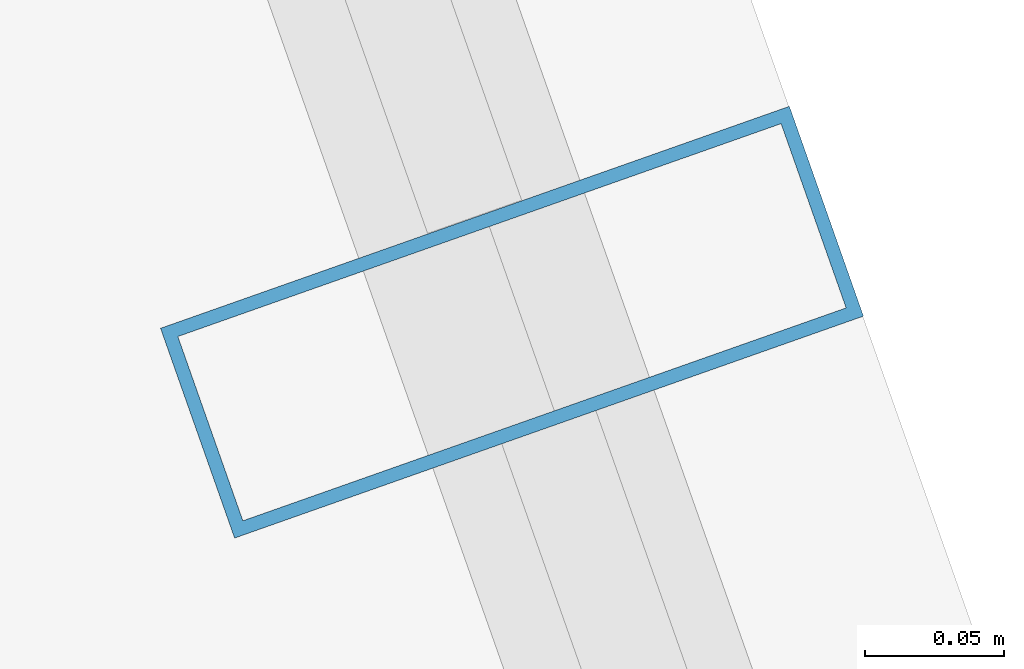
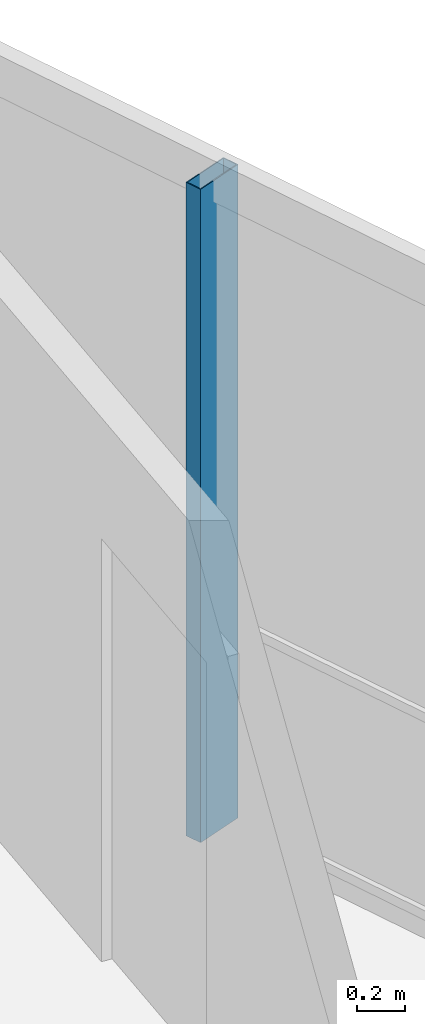
# One storey, part 12 of 18: 1 member, 1 element without a shape of its own.
"""IFC4 building model written with IfcOpenShell, lengths in metres."""

from ifc_helpers import new_model, si_unit, direction, frame, origin, origin_2d, place, context, subcontext, project, spatial, hollow_rectangle, extrude, material, layer, layer_set, material_profile, profile_set, type_object, element, aggregate, save


model = new_model("IFC4")

# Units and contexts
model_context = context("Model", 3, precision=1e-05, world=origin(), true_north=direction((0.0, 1.0)))
body_context = subcontext(model_context, "Body", "Model", "MODEL_VIEW")
ifc_project = project(units=[si_unit("LENGTHUNIT", "METRE"), si_unit("AREAUNIT", "SQUARE_METRE"), si_unit("VOLUMEUNIT", "CUBIC_METRE"), si_unit("PLANEANGLEUNIT", "RADIAN"), si_unit("MASSUNIT", "GRAM", prefix="KILO")], contexts=[model_context])

# Site, building, storey
site_placement = place(None, origin())
site = spatial("IfcSite", under=ifc_project, at=site_placement, CompositionType="ELEMENT")
building_placement = place(site_placement, origin())
building = spatial("IfcBuilding", under=site, at=building_placement, Name="Qarnah Convention Tower", CompositionType="ELEMENT")
storey_placement = place(building_placement, frame((0.0, 0.0, 253.5)))
storey = spatial("IfcBuildingStorey", under=building, at=storey_placement, Name="L68", CompositionType="ELEMENT", Elevation=253.5)

# Curtain wall, member
ifc_material_1 = material(Name="Tempered Low-E dark glass", Category="glass")
ifc_layer = layer(ifc_material_1, 0.176025390625)
ifc_layer_set = layer_set([ifc_layer], Name="Tempered Low-E dark glass")
curtain_wall_type = type_object("IfcCurtainWallType", Name="CWS-05", PredefinedType="NOTDEFINED", material=ifc_layer_set)
curtain_wall_placement = place(storey_placement, origin())
curtain_wall = element("IfcCurtainWall", 1, at=curtain_wall_placement, inside=storey, type_object=curtain_wall_type, Name="L68 unitised curtain wall CW-L68-F3", PredefinedType="NOTDEFINED")
ifc_material_2 = material(Name="Black anodised aluminium", Category="aluminium")
ifc_material_profile = material_profile(ifc_material_2, hollow_rectangle(XDim=0.080078125, YDim=0.239990234375, WallThickness=0.0048828125, at=origin_2d()), Name="MUL-80X240")
ifc_profile_set = profile_set([ifc_material_profile], Name="Black anodised aluminium")
member_type = type_object("IfcMemberType", Name="MUL-T5", PredefinedType="MULLION", material=ifc_profile_set)
member_placement = place(storey_placement, frame((50.46044921875, 34.037109375, 0.0), z_axis=(0.0, 0.0, 1.0), x_axis=(0.332810739324, -0.942993643558, 0.0)))
member = element("IfcMember", 2, at=member_placement, type_object=member_type, Name="CW-L68-F3 mullion 3", PredefinedType="MULLION", context=body_context, shape_type="SweptSolid", body=[
    extrude(hollow_rectangle(XDim=0.080078125, YDim=0.239990234375, WallThickness=0.0048828125, at=origin_2d()), origin(), (0.0, 0.0, 1.0), 3.320068359375),
])
aggregate(curtain_wall, [member])

save(model, "model.ifc")
